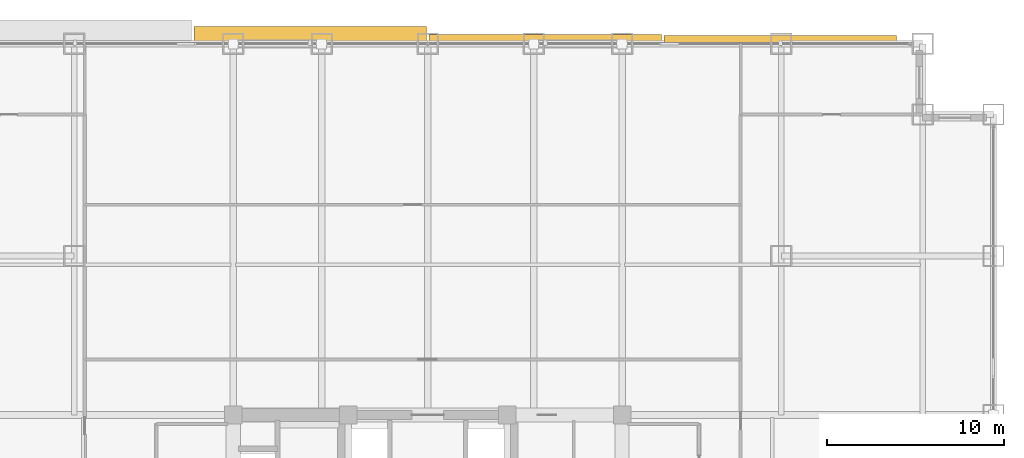
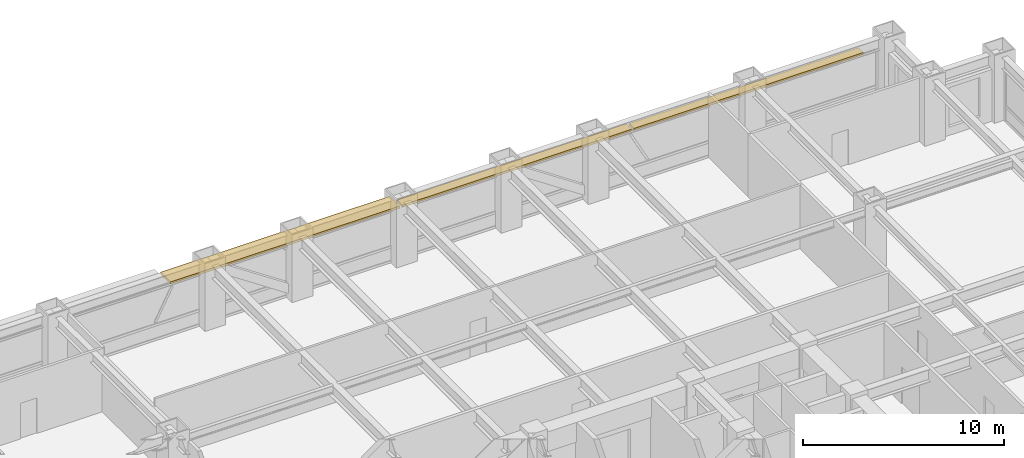
# One storey, part 32 of 32: 3 shading devices.
"""IFC4 building model written with IfcOpenShell, lengths in metres."""

from ifc_helpers import new_model, si_unit, direction, frame, origin, origin_2d, place, context, subcontext, project, spatial, rectangle, extrude, source, transform, mapped, material, layer, layer_set, type_object, element, save


model = new_model("IFC4")

# Units and contexts
model_context = context("Model", 3, precision=1e-05, world=origin(), true_north=direction((0.0, 1.0)))
body_context = subcontext(model_context, "Body", "Model", "MODEL_VIEW")
ifc_project = project(units=[si_unit("LENGTHUNIT", "METRE"), si_unit("AREAUNIT", "SQUARE_METRE"), si_unit("VOLUMEUNIT", "CUBIC_METRE"), si_unit("PLANEANGLEUNIT", "RADIAN"), si_unit("MASSUNIT", "GRAM", prefix="KILO")], contexts=[model_context])

# Site, building, storey
site_placement = place(None, origin())
site = spatial("IfcSite", under=ifc_project, at=site_placement, CompositionType="ELEMENT")
building_placement = place(site_placement, origin())
building = spatial("IfcBuilding", under=site, at=building_placement, Name="Khorayat Bourse Tower", CompositionType="ELEMENT")
storey_placement = place(building_placement, frame((0.0, 0.0, 99.60009765625)))
storey = spatial("IfcBuildingStorey", under=building, at=storey_placement, Name="L22", CompositionType="ELEMENT", Elevation=99.60009765625)

# Shading devices
ifc_material = material(Name="Precast concrete C45/55", Category="concrete")
ifc_layer = layer(ifc_material, 0.139892578125)
ifc_layer_set = layer_set([ifc_layer], Name="Precast concrete C45/55")
shading_device_type = type_object("IfcShadingDeviceType", Name="SHD-WAVE-TRAY-B", PredefinedType="USERDEFINED", material=ifc_layer_set)
shared_shape_1 = source(origin(), body_context, "Body", "SweptSolid", [
    extrude(rectangle(XDim=13.159912109375, YDim=0.989990234375, at=origin_2d()), origin(), (0.0, 0.0, 1.0), 0.139892578125),
])
shading_device_1_placement = place(storey_placement, frame((-6.64990234375, 32.47509765625, 3.08984375), z_axis=(0.0, 0.0, 1.0), x_axis=(1.0, 0.0, 0.0)))
element("IfcShadingDevice", 1, at=shading_device_1_placement, inside=storey, type_object=shading_device_type, Name="L22 Sinusoidal Wave Sunshade Tray N-2", ObjectType="SUNSHADE", PredefinedType="USERDEFINED", context=body_context, shape_type="MappedRepresentation", body=[
    mapped(shared_shape_1, transform((0.0, 0.0, 0.0), scale=1.0)),
])
shared_shape_2 = source(origin(), body_context, "Body", "SweptSolid", [
    extrude(rectangle(XDim=13.159912109375, YDim=0.54638671875, at=origin_2d()), origin(), (0.0, 0.0, 1.0), 0.139892578125),
])
shading_device_2_placement = place(storey_placement, frame((6.64990234375, 32.253173828125, 3.08984375), z_axis=(0.0, 0.0, 1.0), x_axis=(1.0, 0.0, 0.0)))
element("IfcShadingDevice", 2, at=shading_device_2_placement, inside=storey, type_object=shading_device_type, Name="L22 Sinusoidal Wave Sunshade Tray N-3", ObjectType="SUNSHADE", PredefinedType="USERDEFINED", context=body_context, shape_type="MappedRepresentation", body=[
    mapped(shared_shape_2, transform((0.0, 0.0, 0.0), scale=1.0)),
])
shared_shape_3 = source(origin(), body_context, "Body", "SweptSolid", [
    extrude(rectangle(XDim=13.159912109375, YDim=0.48974609375, at=origin_2d()), origin(), (0.0, 0.0, 1.0), 0.139892578125),
])
shading_device_3_placement = place(storey_placement, frame((19.949951171875, 32.224853515625, 3.08984375), z_axis=(0.0, 0.0, 1.0), x_axis=(1.0, 0.0, 0.0)))
element("IfcShadingDevice", 3, at=shading_device_3_placement, inside=storey, type_object=shading_device_type, Name="L22 Sinusoidal Wave Sunshade Tray N-4", ObjectType="SUNSHADE", PredefinedType="USERDEFINED", context=body_context, shape_type="MappedRepresentation", body=[
    mapped(shared_shape_3, transform((0.0, 0.0, 0.0), scale=1.0)),
])

save(model, "model.ifc")
